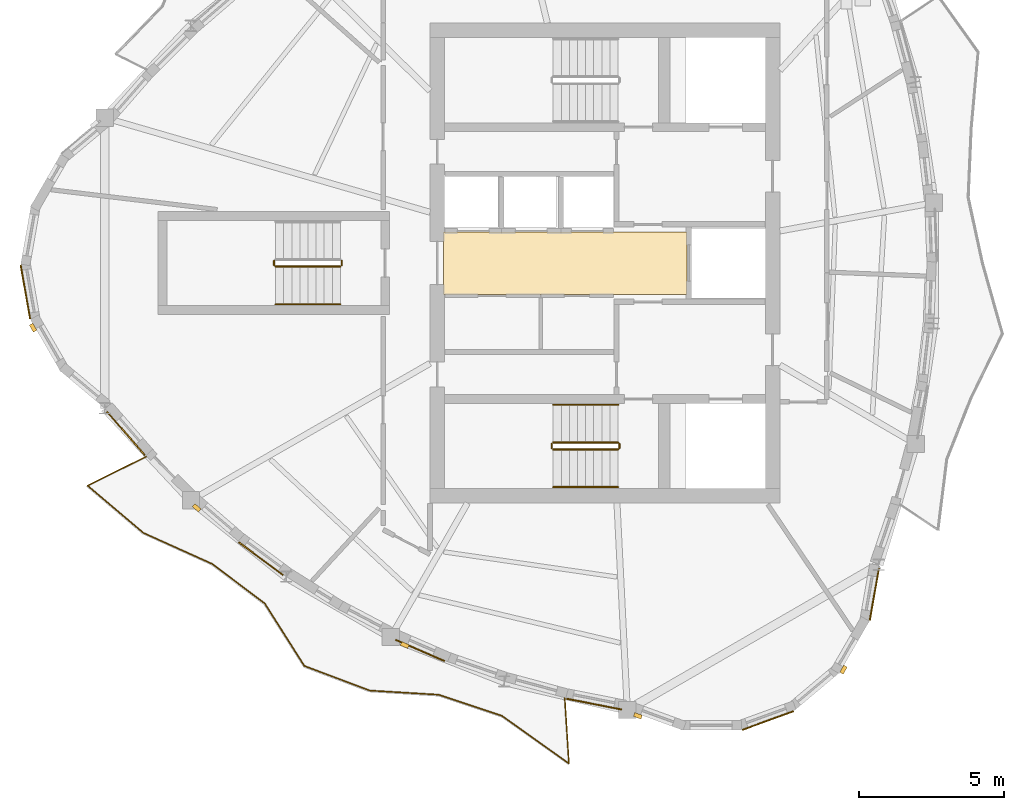
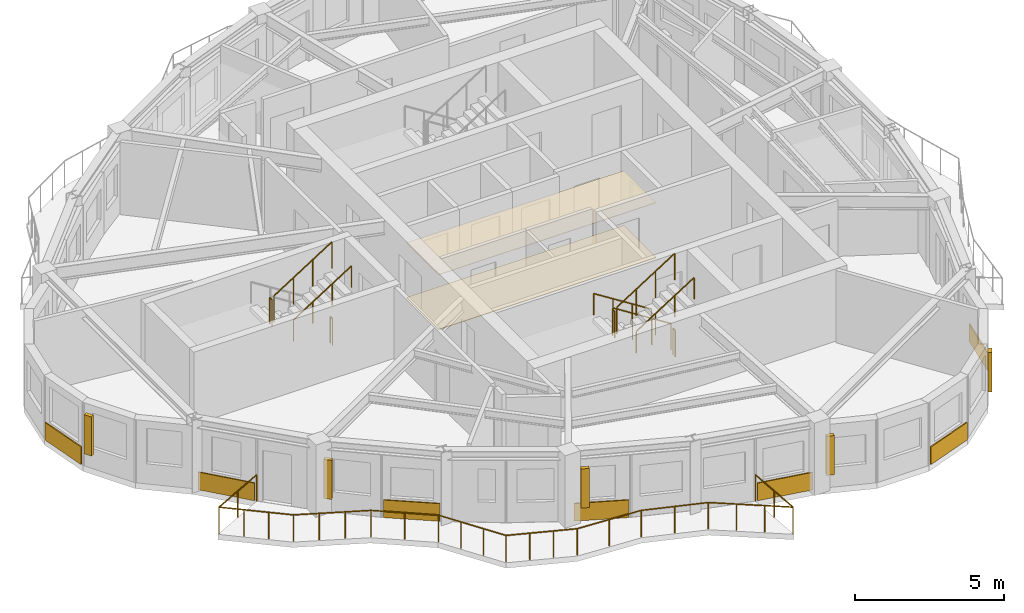
# One storey, part 8 of 11: 11 railings, 9 coverings, 5 shading devices.
"""IFC4 building model written with IfcOpenShell, lengths in metres."""

from ifc_helpers import new_model, si_unit, direction, frame, origin, origin_2d, place, context, subcontext, project, spatial, polyline, rectangle, circle, outline, extrude, source, transform, mapped, material, layer, layer_set, type_object, element, save


model = new_model("IFC4")

# Units and contexts
model_context = context("Model", 3, precision=1e-05, world=origin(), true_north=direction((0.0, 1.0)))
body_context = subcontext(model_context, "Body", "Model", "MODEL_VIEW")
ifc_project = project(units=[si_unit("LENGTHUNIT", "METRE"), si_unit("AREAUNIT", "SQUARE_METRE"), si_unit("VOLUMEUNIT", "CUBIC_METRE"), si_unit("PLANEANGLEUNIT", "RADIAN"), si_unit("MASSUNIT", "GRAM", prefix="KILO")], contexts=[model_context])

# Site, building, storey
site_placement = place(None, origin())
site = spatial("IfcSite", under=ifc_project, at=site_placement, CompositionType="ELEMENT")
building_placement = place(site_placement, origin())
building = spatial("IfcBuilding", under=site, at=building_placement, Name="Qafzar Sky-Pleat Residences", CompositionType="ELEMENT")
storey_placement = place(building_placement, frame((0.0, 0.0, 227.60009765625)))
storey = spatial("IfcBuildingStorey", under=building, at=storey_placement, Name="L68", CompositionType="ELEMENT", Elevation=227.60009765625)

# Coverings
ifc_material_1 = material(Name="Perforated acoustic gypsum board ceiling")
ifc_layer_1 = layer(ifc_material_1, 0.02001953125)
ifc_layer_set_1 = layer_set([ifc_layer_1], Name="Perforated acoustic gypsum board ceiling")
covering_type_1 = type_object("IfcCoveringType", Name="COV-CEIL-ACOUSTIC", PredefinedType="CEILING", material=ifc_layer_set_1)
covering_1_placement = place(storey_placement, frame((0.0, 0.0, 2.239990234375)))
element("IfcCovering", 1, at=covering_1_placement, inside=storey, type_object=covering_type_1, Name="L68 Passenger Lift Lobby Acoustic Ceiling", PredefinedType="CEILING", context=body_context, shape_type="SweptSolid", body=[
    extrude(outline(polyline([(33.179931640625, 24.919921875), (24.77001953125, 24.919921875), (24.77001953125, 27.080078125), (33.179931640625, 27.080078125), (33.179931640625, 24.919921875)])), origin(), (0.0, 0.0, 1.0), 0.02001953125),
])
ifc_material_2 = material(Name="Honed porcelain and Riyadh stone tile flooring", Category="masonry")
ifc_layer_2 = layer(ifc_material_2, 0.02001953125)
ifc_layer_set_2 = layer_set([ifc_layer_2], Name="Honed porcelain and Riyadh stone tile flooring")
covering_type_2 = type_object("IfcCoveringType", Name="COV-FLR-PORCELAIN", PredefinedType="FLOORING", material=ifc_layer_set_2)
covering_2_placement = place(storey_placement, origin())
element("IfcCovering", 2, at=covering_2_placement, inside=storey, type_object=covering_type_2, Name="L68 Passenger Lift Lobby Honed Stone Flooring", PredefinedType="FLOORING", context=body_context, shape_type="SweptSolid", body=[
    extrude(outline(polyline([(33.179931640625, 24.919921875), (24.77001953125, 24.919921875), (24.77001953125, 27.080078125), (33.179931640625, 27.080078125), (33.179931640625, 24.919921875)])), origin(), (0.0, 0.0, 1.0), 0.02001953125),
])

# Shading devices
ifc_material_3 = material(Name="Honed Riyadh limestone solar fin", Category="masonry")
ifc_layer_3 = layer(ifc_material_3, 0.139892578125)
ifc_layer_set_3 = layer_set([ifc_layer_3], Name="Honed Riyadh limestone solar fin")
shading_device_type = type_object("IfcShadingDeviceType", Name="SHD-FIN-STONE", PredefinedType="SHUTTER", material=ifc_layer_set_3)
shared_shape_1 = source(origin(), body_context, "Body", "SweptSolid", [
    extrude(rectangle(XDim=0.139892578125, YDim=0.280029296875, at=origin_2d()), origin(), (0.0, 0.0, 1.0), 1.60009765625),
])
for number, where, z_axis, x_axis, name in (
    (3, (10.57470703125, 23.765380859375, 0.599853515625), (0.0, 0.0, 1.0), (-0.86604422228, -0.499967403994, 0.0), "L68 Limestone Solar Fin 5"),
    (4, (16.23095703125, 17.536865234375, 0.599853515625), (0.0, 0.0, 1.0), (-0.652875342828, -0.757465369986, 0.0), "L68 Limestone Solar Fin 9"),
    (5, (23.426025390625, 12.7900390625, 0.599853515625), (0.0, 0.0, 1.0), (-0.398679090414, -0.917090498733, 0.0), "L68 Limestone Solar Fin 13"),
    (6, (31.48681640625, 10.343994140625, 0.599853515625), (0.0, 0.0, 1.0), (-0.342053959704, -0.939680311942, 0.0), "L68 Limestone Solar Fin 17"),
    (7, (38.59814453125, 11.940185546875, 0.599853515625), (0.0, 0.0, 1.0), (0.86603181203, -0.499988900429, 0.0), "L68 Limestone Solar Fin 21"),
):
    element("IfcShadingDevice", number, at=place(storey_placement, frame(where, z_axis=z_axis, x_axis=x_axis)), inside=storey, type_object=shading_device_type, Name=name, PredefinedType="SHUTTER", context=body_context, shape_type="MappedRepresentation", body=[
        mapped(shared_shape_1, transform((0.0, 0.0, 0.0), x_axis=(1.0, 0.0, 0.0), y_axis=(0.0, 1.0, 0.0), z_axis=(0.0, 0.0, 1.0), scale=1.0)),
    ])

# Coverings
ifc_material_4 = material(Name="Honed Riyadh Tuwaiq limestone cladding", Category="masonry")
ifc_layer_4 = layer(ifc_material_4, 0.044921875)
ifc_layer_set_4 = layer_set([ifc_layer_4], Name="Honed Riyadh Tuwaiq limestone cladding")
covering_type_3 = type_object("IfcCoveringType", Name="COV-CLAD-STONE", PredefinedType="CLADDING", material=ifc_layer_set_4)
shared_shape_2 = source(origin(), body_context, "Body", "SweptSolid", [
    extrude(rectangle(XDim=1.88134765625, YDim=0.044921875, at=origin_2d()), origin(), (0.0, 0.0, 1.0), 0.719970703125),
])
for number, where, z_axis, x_axis, name in (
    (8, (10.308349609375, 25.00439453125, 0.02001953125), (0.0, 0.0, 1.0), (0.173662519465, -0.984805224059, 0.0), "L68 Riyadh Limestone Spandrel Cladding 4"),
    (9, (35.983642578125, 10.1806640625, 0.02001953125), (0.0, 0.0, 1.0), (0.939694209735, 0.342015777694, 0.0), "L68 Riyadh Limestone Spandrel Cladding 19"),
):
    element("IfcCovering", number, at=place(storey_placement, frame(where, z_axis=z_axis, x_axis=x_axis)), inside=storey, type_object=covering_type_3, Name=name, PredefinedType="CLADDING", context=body_context, shape_type="MappedRepresentation", body=[
        mapped(shared_shape_2, transform((0.0, 0.0, 0.0), x_axis=(1.0, 0.0, 0.0), y_axis=(0.0, 1.0, 0.0), z_axis=(0.0, 0.0, 1.0), scale=1.0)),
    ])
shared_shape_3 = source(origin(), body_context, "Body", "SweptSolid", [
    extrude(rectangle(XDim=1.8291015625, YDim=0.044921875, at=origin_2d()), origin(), (0.0, 0.0, 1.0), 0.719970703125),
])
covering_3_placement = place(storey_placement, frame((39.664306640625, 14.54443359375, 0.02001953125), z_axis=(0.0, 0.0, 1.0), x_axis=(0.173695508338, 0.984799406165, 0.0)))
element("IfcCovering", 10, at=covering_3_placement, inside=storey, type_object=covering_type_3, Name="L68 Riyadh Limestone Spandrel Cladding 22", PredefinedType="CLADDING", context=body_context, shape_type="MappedRepresentation", body=[
    mapped(shared_shape_3, transform((0.0, 0.0, 0.0), x_axis=(1.0, 0.0, 0.0), y_axis=(0.0, 1.0, 0.0), z_axis=(0.0, 0.0, 1.0), scale=1.0)),
])

# Railing
ifc_material_5 = material(Name="Laminated glass and bronze steel balustrade", Category="steel")
railing_type_1 = type_object("IfcRailingType", Name="RAIL-BAL-1100", PredefinedType="BALUSTRADE", material=ifc_material_5)
shared_shape_4 = source(origin(), body_context, "Body", "SweptSolid", [
    extrude(circle(Radius=0.02392578125, at=origin_2d()), frame((0.0, 0.0, 1.076171875), z_axis=(-0.896055493249, -0.44394206043, 0.0), x_axis=(0.44394206043, -0.896055493249, 0.0)), (0.0, 0.0, 1.0), 2.270751953125),
    extrude(circle(Radius=0.02392578125, at=origin_2d()), frame((-2.03466796875, -1.008056640625, 1.076171875), z_axis=(0.763404563516, -0.6459206394, 0.0), x_axis=(0.6459206394, 0.763404563516, 0.0)), (0.0, 0.0, 1.0), 2.533203125),
    extrude(circle(Radius=0.02392578125, at=origin_2d()), frame((-0.100830078125, -2.644287109375, 1.076171875), z_axis=(0.911932022552, -0.41034130458, 0.0), x_axis=(0.41034130458, 0.911932022552, 0.0)), (0.0, 0.0, 1.0), 2.60595703125),
    extrude(circle(Radius=0.02392578125, at=origin_2d()), frame((2.275634765625, -3.713623046875, 1.076171875), z_axis=(0.798633626222, -0.601817523064, 0.0), x_axis=(0.601817523064, 0.798633626222, 0.0)), (0.0, 0.0, 1.0), 2.276123046875),
    extrude(circle(Radius=0.02392578125, at=origin_2d()), frame((4.093505859375, -5.08349609375, 1.076171875), z_axis=(0.535379213772, -0.844611802819, 0.0), x_axis=(0.844611802819, 0.535379213772, 0.0)), (0.0, 0.0, 1.0), 2.556396484375),
    extrude(circle(Radius=0.02392578125, at=origin_2d()), frame((5.462158203125, -7.24267578125, 1.076171875), z_axis=(0.936038381096, -0.351897924285, 0.0), x_axis=(0.351897924285, 0.936038381096, 0.0)), (0.0, 0.0, 1.0), 2.417724609375),
    extrude(circle(Radius=0.02392578125, at=origin_2d()), frame((7.725341796875, -8.093505859375, 1.076171875), z_axis=(0.998177268218, -0.06035015504, 0.0), x_axis=(0.06035015504, 0.998177268218, 0.0)), (0.0, 0.0, 1.0), 2.390869140625),
    extrude(circle(Radius=0.02392578125, at=origin_2d()), frame((10.11181640625, -8.23779296875, 1.076171875), z_axis=(0.948651373589, -0.316323523293, 0.0), x_axis=(0.316323523293, 0.948651373589, 0.0)), (0.0, 0.0, 1.0), 2.294677734375),
    extrude(circle(Radius=0.02392578125, at=origin_2d()), frame((12.28857421875, -8.963623046875, 1.076171875), z_axis=(0.8144156978, -0.58028188941, 0.0), x_axis=(0.58028188941, 0.8144156978, 0.0)), (0.0, 0.0, 1.0), 2.850830078125),
    extrude(circle(Radius=0.02392578125, at=origin_2d()), frame((14.6103515625, -10.617919921875, 1.076171875), z_axis=(-0.063757111536, 0.997965445659, 0.0), x_axis=(-0.997965445659, -0.063757111536, 0.0)), (0.0, 0.0, 1.0), 2.270751953125),
    extrude(circle(Radius=0.02099609375, at=origin_2d()), origin(), (0.0, 0.0, 1.0), 1.052001953125),
    extrude(circle(Radius=0.02099609375, at=origin_2d()), frame((-1.017333984375, -0.50390625, 0.0)), (0.0, 0.0, 1.0), 1.052001953125),
    extrude(circle(Radius=0.02099609375, at=origin_2d()), frame((-2.03466796875, -1.008056640625, 0.0)), (0.0, 0.0, 1.0), 1.052001953125),
    extrude(circle(Radius=0.02099609375, at=origin_2d()), frame((-1.39013671875, -1.553466796875, 0.0)), (0.0, 0.0, 1.0), 1.052001953125),
    extrude(circle(Radius=0.02099609375, at=origin_2d()), frame((-0.745361328125, -2.098876953125, 0.0)), (0.0, 0.0, 1.0), 1.052001953125),
    extrude(circle(Radius=0.02099609375, at=origin_2d()), frame((-0.100830078125, -2.644287109375, 0.0)), (0.0, 0.0, 1.0), 1.052001953125),
    extrude(circle(Radius=0.02099609375, at=origin_2d()), frame((0.69140625, -3.000732421875, 0.0)), (0.0, 0.0, 1.0), 1.052001953125),
    extrude(circle(Radius=0.02099609375, at=origin_2d()), frame((1.4833984375, -3.357177734375, 0.0)), (0.0, 0.0, 1.0), 1.052001953125),
    extrude(circle(Radius=0.02099609375, at=origin_2d()), frame((2.275634765625, -3.713623046875, 0.0)), (0.0, 0.0, 1.0), 1.052001953125),
    extrude(circle(Radius=0.02099609375, at=origin_2d()), frame((3.1845703125, -4.3984375, 0.0)), (0.0, 0.0, 1.0), 1.052001953125),
    extrude(circle(Radius=0.02099609375, at=origin_2d()), frame((4.093505859375, -5.08349609375, 0.0)), (0.0, 0.0, 1.0), 1.052001953125),
    extrude(circle(Radius=0.02099609375, at=origin_2d()), frame((4.5498046875, -5.80322265625, 0.0)), (0.0, 0.0, 1.0), 1.052001953125),
    extrude(circle(Radius=0.02099609375, at=origin_2d()), frame((5.005859375, -6.52294921875, 0.0)), (0.0, 0.0, 1.0), 1.052001953125),
    extrude(circle(Radius=0.02099609375, at=origin_2d()), frame((5.462158203125, -7.24267578125, 0.0)), (0.0, 0.0, 1.0), 1.052001953125),
    extrude(circle(Radius=0.02099609375, at=origin_2d()), frame((6.216552734375, -7.5263671875, 0.0)), (0.0, 0.0, 1.0), 1.052001953125),
    extrude(circle(Radius=0.02099609375, at=origin_2d()), frame((6.970947265625, -7.809814453125, 0.0)), (0.0, 0.0, 1.0), 1.052001953125),
    extrude(circle(Radius=0.02099609375, at=origin_2d()), frame((7.725341796875, -8.093505859375, 0.0)), (0.0, 0.0, 1.0), 1.052001953125),
    extrude(circle(Radius=0.02099609375, at=origin_2d()), frame((8.91845703125, -8.16552734375, 0.0)), (0.0, 0.0, 1.0), 1.052001953125),
    extrude(circle(Radius=0.02099609375, at=origin_2d()), frame((10.11181640625, -8.23779296875, 0.0)), (0.0, 0.0, 1.0), 1.052001953125),
    extrude(circle(Radius=0.02099609375, at=origin_2d()), frame((11.2001953125, -8.6005859375, 0.0)), (0.0, 0.0, 1.0), 1.052001953125),
    extrude(circle(Radius=0.02099609375, at=origin_2d()), frame((12.28857421875, -8.963623046875, 0.0)), (0.0, 0.0, 1.0), 1.052001953125),
    extrude(circle(Radius=0.02099609375, at=origin_2d()), frame((13.0625, -9.51513671875, 0.0)), (0.0, 0.0, 1.0), 1.052001953125),
    extrude(circle(Radius=0.02099609375, at=origin_2d()), frame((13.83642578125, -10.06640625, 0.0)), (0.0, 0.0, 1.0), 1.052001953125),
    extrude(circle(Radius=0.02099609375, at=origin_2d()), frame((14.6103515625, -10.617919921875, 0.0)), (0.0, 0.0, 1.0), 1.052001953125),
    extrude(circle(Radius=0.02099609375, at=origin_2d()), frame((14.5380859375, -9.48486328125, 0.0)), (0.0, 0.0, 1.0), 1.052001953125),
    extrude(circle(Radius=0.02099609375, at=origin_2d()), frame((14.465576171875, -8.351806640625, 0.0)), (0.0, 0.0, 1.0), 1.052001953125),
])
railing_1_placement = place(storey_placement, frame((14.494140625, 19.310791015625, 0.0)))
element("IfcRailing", 11, at=railing_1_placement, inside=storey, type_object=railing_type_1, Name="L68 Pleated Balcony 3 Balustrade", PredefinedType="BALUSTRADE", context=body_context, shape_type="MappedRepresentation", body=[
    mapped(shared_shape_4, transform((0.0, 0.0, 0.0), x_axis=(1.0, 0.0, 0.0), y_axis=(0.0, 1.0, 0.0), z_axis=(0.0, 0.0, 1.0), scale=1.0)),
])

# Coverings
shared_shape_5 = source(origin(), body_context, "Body", "SweptSolid", [
    extrude(rectangle(XDim=2.00048828125, YDim=0.044921875, at=origin_2d()), origin(), (0.0, 0.0, 1.0), 0.719970703125),
])
covering_4_placement = place(storey_placement, frame((13.782470703125, 20.1103515625, 0.02001953125), z_axis=(0.0, 0.0, 1.0), x_axis=(0.657596459069, -0.753370358469, 0.0)))
element("IfcCovering", 12, at=covering_4_placement, inside=storey, type_object=covering_type_3, Name="L68 Riyadh Limestone Spandrel Cladding 7", PredefinedType="CLADDING", context=body_context, shape_type="MappedRepresentation", body=[
    mapped(shared_shape_5, transform((0.0, 0.0, 0.0), x_axis=(1.0, 0.0, 0.0), y_axis=(0.0, 1.0, 0.0), z_axis=(0.0, 0.0, 1.0), scale=1.0)),
])
shared_shape_6 = source(origin(), body_context, "Body", "SweptSolid", [
    extrude(rectangle(XDim=1.906005859375, YDim=0.044921875, at=origin_2d()), origin(), (0.0, 0.0, 1.0), 0.719970703125),
])
covering_5_placement = place(storey_placement, frame((18.4501953125, 15.781005859375, 0.02001953125), z_axis=(0.0, 0.0, 1.0), x_axis=(0.803836480524, -0.594850327879, 0.0)))
element("IfcCovering", 13, at=covering_5_placement, inside=storey, type_object=covering_type_3, Name="L68 Riyadh Limestone Spandrel Cladding 10", PredefinedType="CLADDING", context=body_context, shape_type="MappedRepresentation", body=[
    mapped(shared_shape_6, transform((0.0, 0.0, 0.0), x_axis=(1.0, 0.0, 0.0), y_axis=(0.0, 1.0, 0.0), z_axis=(0.0, 0.0, 1.0), scale=1.0)),
])
shared_shape_7 = source(origin(), body_context, "Body", "SweptSolid", [
    extrude(rectangle(XDim=1.843017578125, YDim=0.044921875, at=origin_2d()), origin(), (0.0, 0.0, 1.0), 0.719970703125),
])
covering_6_placement = place(storey_placement, frame((23.956787109375, 12.606201171875, 0.02001953125), z_axis=(0.0, 0.0, 1.0), x_axis=(0.917084030907, -0.39869396817, 0.0)))
element("IfcCovering", 14, at=covering_6_placement, inside=storey, type_object=covering_type_3, Name="L68 Riyadh Limestone Spandrel Cladding 13", PredefinedType="CLADDING", context=body_context, shape_type="MappedRepresentation", body=[
    mapped(shared_shape_7, transform((0.0, 0.0, 0.0), x_axis=(1.0, 0.0, 0.0), y_axis=(0.0, 1.0, 0.0), z_axis=(0.0, 0.0, 1.0), scale=1.0)),
])
shared_shape_8 = source(origin(), body_context, "Body", "SweptSolid", [
    extrude(rectangle(XDim=1.9375, YDim=0.044921875, at=origin_2d()), origin(), (0.0, 0.0, 1.0), 0.719970703125),
])
covering_7_placement = place(storey_placement, frame((29.9736328125, 10.749267578125, 0.02001953125), z_axis=(0.0, 0.0, 1.0), x_axis=(0.981234384678, -0.192818781048, 0.0)))
element("IfcCovering", 15, at=covering_7_placement, inside=storey, type_object=covering_type_3, Name="L68 Riyadh Limestone Spandrel Cladding 16", PredefinedType="CLADDING", context=body_context, shape_type="MappedRepresentation", body=[
    mapped(shared_shape_8, transform((0.0, 0.0, 0.0), x_axis=(1.0, 0.0, 0.0), y_axis=(0.0, 1.0, 0.0), z_axis=(0.0, 0.0, 1.0), scale=1.0)),
])

# Railings
ifc_material_6 = material(Name="Painted Steel S355 stair guardrail", Category="steel")
railing_type_2 = type_object("IfcRailingType", Name="RAIL-STAIR-GUARD", PredefinedType="GUARDRAIL", material=ifc_material_6)
shared_shape_9 = source(origin(), body_context, "Body", "SweptSolid", [
    extrude(circle(Radius=0.02392578125, at=origin_2d()), frame((0.0, 0.0, 1.076171875), z_axis=(0.0, -1.0, 0.0), x_axis=(1.0, 0.0, 0.0)), (0.0, 0.0, 1.0), 0.14990234375),
    extrude(circle(Radius=0.02099609375, at=origin_2d()), origin(), (0.0, 0.0, 1.0), 1.052001953125),
    extrude(circle(Radius=0.02099609375, at=origin_2d()), frame((0.0, -0.14990234375, 0.0)), (0.0, 0.0, 1.0), 1.052001953125),
])
for number, where, name in (
    (16, (28.510009765625, 19.75, 1.599853515625), "L68 ST1 stair guard 2"),
    (17, (30.85009765625, 19.75, 0.0), "L68 ST1 stair guard 4"),
    (18, (18.909912109375, 26.074951171875, 1.599853515625), "L68 ST3 stair guard 2"),
    (19, (21.25, 26.074951171875, 0.0), "L68 ST3 stair guard 4"),
):
    element("IfcRailing", number, at=place(storey_placement, frame(where)), inside=storey, type_object=railing_type_2, Name=name, PredefinedType="GUARDRAIL", context=body_context, shape_type="MappedRepresentation", body=[
        mapped(shared_shape_9, transform((0.0, 0.0, 0.0), x_axis=(1.0, 0.0, 0.0), y_axis=(0.0, 1.0, 0.0), z_axis=(0.0, 0.0, 1.0), scale=1.0)),
    ])
shared_shape_10 = source(origin(), body_context, "Body", "SweptSolid", [
    extrude(circle(Radius=0.02392578125, at=origin_2d()), frame((0.0, 0.0, 1.076171875), z_axis=(-0.8442293374, 0.0, 0.53598211339), x_axis=(0.0, -1.0, 0.0)), (0.0, 0.0, 1.0), 2.6533203125),
    extrude(circle(Radius=0.02099609375, at=origin_2d()), origin(), (0.0, 0.0, 1.0), 1.052001953125),
    extrude(circle(Radius=0.02099609375, at=origin_2d()), frame((-0.74658203125, 0.0, 0.47412109375)), (0.0, 0.0, 1.0), 1.052001953125),
    extrude(circle(Radius=0.02099609375, at=origin_2d()), frame((-1.493408203125, 0.0, 0.947998046875)), (0.0, 0.0, 1.0), 1.052001953125),
    extrude(circle(Radius=0.02099609375, at=origin_2d()), frame((-2.239990234375, 0.0, 1.422119140625)), (0.0, 0.0, 1.0), 1.052001953125),
])
railing_2_placement = place(storey_placement, frame((30.800048828125, 19.800048828125, 0.177734375)))
element("IfcRailing", 20, at=railing_2_placement, inside=storey, type_object=railing_type_2, Name="L68 ST1 stair guard 1", PredefinedType="GUARDRAIL", context=body_context, shape_type="MappedRepresentation", body=[
    mapped(shared_shape_10, transform((0.0, 0.0, 0.0), x_axis=(1.0, 0.0, 0.0), y_axis=(0.0, 1.0, 0.0), z_axis=(0.0, 0.0, 1.0), scale=1.0)),
])
ifc_material_7 = material(Name="Brushed stainless steel handrail", Category="steel")
railing_type_3 = type_object("IfcRailingType", Name="RAIL-STAIR-HAND", PredefinedType="HANDRAIL", material=ifc_material_7)
shared_shape_11 = source(origin(), body_context, "Body", "SweptSolid", [
    extrude(circle(Radius=0.02392578125, at=origin_2d()), frame((0.0, 0.0, 0.8759765625), z_axis=(-0.8442293374, 0.0, 0.53598211339), x_axis=(0.0, -1.0, 0.0)), (0.0, 0.0, 1.0), 2.6533203125),
    extrude(circle(Radius=0.02099609375, at=origin_2d()), origin(), (0.0, 0.0, 1.0), 0.851806640625),
    extrude(circle(Radius=0.02099609375, at=origin_2d()), frame((-0.74658203125, 0.0, 0.47412109375)), (0.0, 0.0, 1.0), 0.851806640625),
    extrude(circle(Radius=0.02099609375, at=origin_2d()), frame((-1.493408203125, 0.0, 0.947998046875)), (0.0, 0.0, 1.0), 0.851806640625),
    extrude(circle(Radius=0.02099609375, at=origin_2d()), frame((-2.239990234375, 0.0, 1.422119140625)), (0.0, 0.0, 1.0), 0.851806640625),
])
railing_3_placement = place(storey_placement, frame((30.800048828125, 21.10009765625, 0.177734375)))
element("IfcRailing", 21, at=railing_3_placement, inside=storey, type_object=railing_type_3, Name="L68 ST1 stair handrail 1", PredefinedType="HANDRAIL", context=body_context, shape_type="MappedRepresentation", body=[
    mapped(shared_shape_11, transform((0.0, 0.0, 0.0), x_axis=(1.0, 0.0, 0.0), y_axis=(0.0, 1.0, 0.0), z_axis=(0.0, 0.0, 1.0), scale=1.0)),
])
shared_shape_12 = source(origin(), body_context, "Body", "SweptSolid", [
    extrude(circle(Radius=0.02392578125, at=origin_2d()), frame((0.0, 0.0, 1.076171875), z_axis=(0.84418770128, 0.0, 0.536047689118), x_axis=(0.0, 1.0, 0.0)), (0.0, 0.0, 1.0), 2.6533203125),
    extrude(circle(Radius=0.02099609375, at=origin_2d()), origin(), (0.0, 0.0, 1.0), 1.052001953125),
    extrude(circle(Radius=0.02099609375, at=origin_2d()), frame((0.74658203125, 0.0, 0.47412109375)), (0.0, 0.0, 1.0), 1.052001953125),
    extrude(circle(Radius=0.02099609375, at=origin_2d()), frame((1.493408203125, 0.0, 0.9482421875)), (0.0, 0.0, 1.0), 1.052001953125),
    extrude(circle(Radius=0.02099609375, at=origin_2d()), frame((2.239990234375, 0.0, 1.42236328125)), (0.0, 0.0, 1.0), 1.052001953125),
])
for number, where, name in (
    (22, (28.56005859375, 19.550048828125, 1.777587890625), "L68 ST1 stair guard 3"),
    (23, (18.9599609375, 25.875, 1.777587890625), "L68 ST3 stair guard 3"),
):
    element("IfcRailing", number, at=place(storey_placement, frame(where)), inside=storey, type_object=railing_type_2, Name=name, PredefinedType="GUARDRAIL", context=body_context, shape_type="MappedRepresentation", body=[
        mapped(shared_shape_12, transform((0.0, 0.0, 0.0), x_axis=(1.0, 0.0, 0.0), y_axis=(0.0, 1.0, 0.0), z_axis=(0.0, 0.0, 1.0), scale=1.0)),
    ])
shared_shape_13 = source(origin(), body_context, "Body", "SweptSolid", [
    extrude(circle(Radius=0.02392578125, at=origin_2d()), frame((0.0, 0.0, 0.8759765625), z_axis=(0.84418770128, 0.0, 0.536047689118), x_axis=(0.0, 1.0, 0.0)), (0.0, 0.0, 1.0), 2.6533203125),
    extrude(circle(Radius=0.02099609375, at=origin_2d()), origin(), (0.0, 0.0, 1.0), 0.851806640625),
    extrude(circle(Radius=0.02099609375, at=origin_2d()), frame((0.74658203125, 0.0, 0.47412109375)), (0.0, 0.0, 1.0), 0.851806640625),
    extrude(circle(Radius=0.02099609375, at=origin_2d()), frame((1.493408203125, 0.0, 0.9482421875)), (0.0, 0.0, 1.0), 0.851806640625),
    extrude(circle(Radius=0.02099609375, at=origin_2d()), frame((2.239990234375, 0.0, 1.42236328125)), (0.0, 0.0, 1.0), 0.851806640625),
])
for number, where, name in (
    (24, (28.56005859375, 18.25, 1.777587890625), "L68 ST1 stair handrail 2"),
    (25, (18.9599609375, 24.574951171875, 1.777587890625), "L68 ST3 stair handrail 2"),
):
    element("IfcRailing", number, at=place(storey_placement, frame(where)), inside=storey, type_object=railing_type_3, Name=name, PredefinedType="HANDRAIL", context=body_context, shape_type="MappedRepresentation", body=[
        mapped(shared_shape_13, transform((0.0, 0.0, 0.0), x_axis=(1.0, 0.0, 0.0), y_axis=(0.0, 1.0, 0.0), z_axis=(0.0, 0.0, 1.0), scale=1.0)),
    ])

save(model, "model.ifc")
